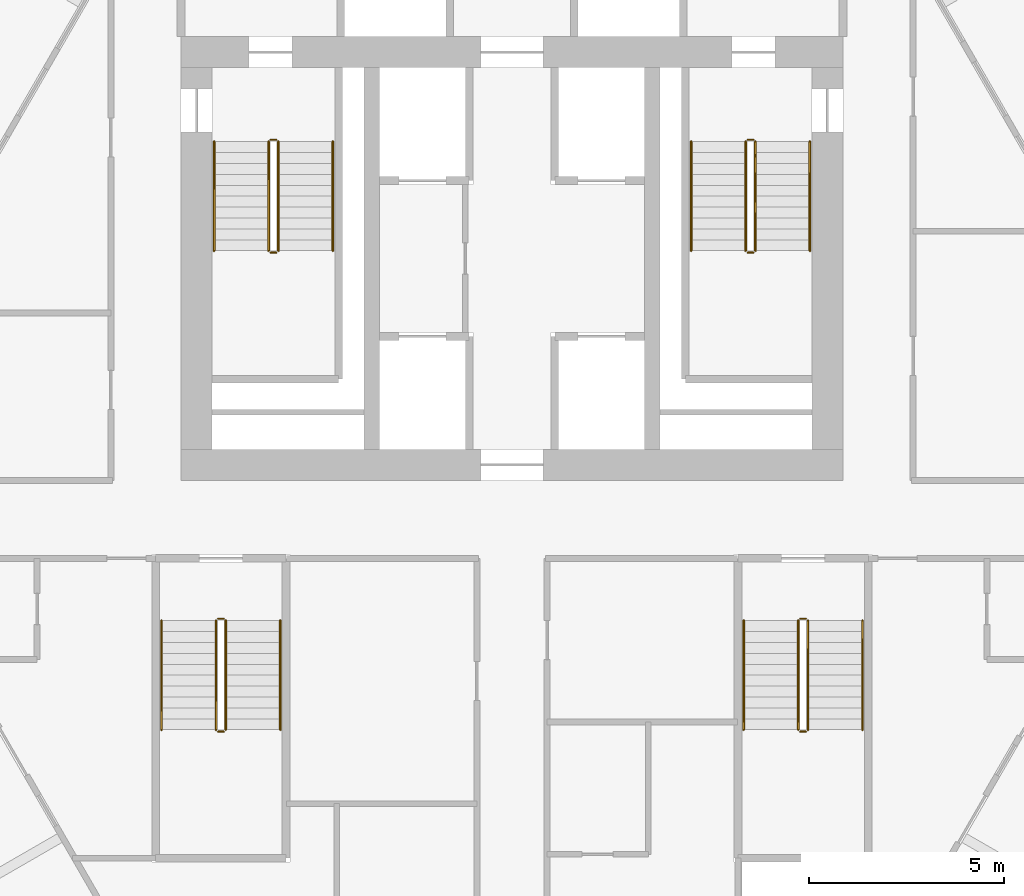
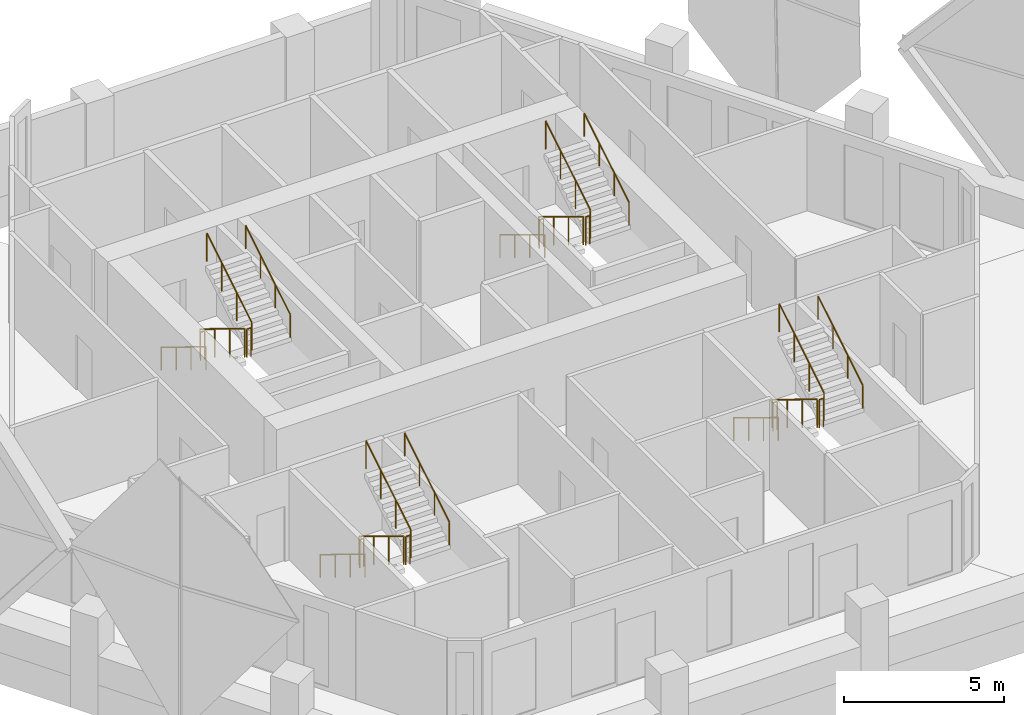
# One storey, part 13 of 13: 24 railings.
"""IFC4 building model written with IfcOpenShell, lengths in metres."""

from ifc_helpers import new_model, si_unit, direction, frame, origin, origin_2d, place, context, subcontext, project, spatial, circle, extrude, material, type_object, element, save


model = new_model("IFC4")

# Units and contexts
model_context = context("Model", 3, precision=1e-05, world=origin(), true_north=direction((0.0, 1.0)))
body_context = subcontext(model_context, "Body", "Model", "MODEL_VIEW")
ifc_project = project(units=[si_unit("LENGTHUNIT", "METRE"), si_unit("AREAUNIT", "SQUARE_METRE"), si_unit("VOLUMEUNIT", "CUBIC_METRE"), si_unit("PLANEANGLEUNIT", "RADIAN"), si_unit("MASSUNIT", "GRAM", prefix="KILO")], contexts=[model_context])

# Site, building, storey
site_placement = place(None, origin())
site = spatial("IfcSite", under=ifc_project, at=site_placement, CompositionType="ELEMENT")
building_placement = place(site_placement, origin())
building = spatial("IfcBuilding", under=site, at=building_placement, Name="Ostrander Bayou Hotel Tower", CompositionType="ELEMENT")
storey_placement = place(building_placement, frame((0.0, 0.0, 187.0)))
storey = spatial("IfcBuildingStorey", under=building, at=storey_placement, Name="L46", CompositionType="ELEMENT", Elevation=187.0)

# Railings
ifc_material_1 = material(Name="Steel ASTM A500 Gr C", Category="steel")
railing_type_1 = type_object("IfcRailingType", Name="GR1 stair guard 1100 mm steel", PredefinedType="GUARDRAIL", material=ifc_material_1)
railing_1_placement = place(storey_placement, frame((-6.25, 7.0, 0.17041015625)))
element("IfcRailing", 1, at=railing_1_placement, inside=storey, type_object=railing_type_1, Name="L46 STA stair guard 1", PredefinedType="GUARDRAIL", context=body_context, shape_type="SweptSolid", body=[
    extrude(circle(Radius=0.02392578125, at=origin_2d()), frame((0.0, 0.0, 1.076171875), z_axis=(0.0, -0.854169791009, 0.51999420009), x_axis=(1.0, 0.0, 0.0)), (0.0, 0.0, 1.0), 3.278076171875),
    extrude(circle(Radius=0.02099609375, at=origin_2d()), origin(), (0.0, 0.0, 1.0), 1.052001953125),
    extrude(circle(Radius=0.02099609375, at=origin_2d()), frame((0.0, -0.933349609375, 0.568115234375)), (0.0, 0.0, 1.0), 1.052001953125),
    extrude(circle(Radius=0.02099609375, at=origin_2d()), frame((0.0, -1.86669921875, 1.136474609375)), (0.0, 0.0, 1.0), 1.052001953125),
    extrude(circle(Radius=0.02099609375, at=origin_2d()), frame((0.0, -2.800048828125, 1.70458984375)), (0.0, 0.0, 1.0), 1.052001953125),
])
railing_2_placement = place(storey_placement, frame((-6.199951171875, 4.14990234375, 1.875)))
element("IfcRailing", 2, at=railing_2_placement, inside=storey, type_object=railing_type_1, Name="L46 STA stair guard 2", PredefinedType="GUARDRAIL", context=body_context, shape_type="SweptSolid", body=[
    extrude(circle(Radius=0.02392578125, at=origin_2d()), frame((0.0, 0.0, 1.076171875), z_axis=(1.0, 0.0, 0.0), x_axis=(0.0, 1.0, 0.0)), (0.0, 0.0, 1.0), 0.14990234375),
    extrude(circle(Radius=0.02099609375, at=origin_2d()), origin(), (0.0, 0.0, 1.0), 1.052001953125),
    extrude(circle(Radius=0.02099609375, at=origin_2d()), frame((0.14990234375, 0.0, 0.0)), (0.0, 0.0, 1.0), 1.052001953125),
])
railing_3_placement = place(storey_placement, frame((-6.0, 4.199951171875, 2.04541015625)))
element("IfcRailing", 3, at=railing_3_placement, inside=storey, type_object=railing_type_1, Name="L46 STA stair guard 3", PredefinedType="GUARDRAIL", context=body_context, shape_type="SweptSolid", body=[
    extrude(circle(Radius=0.02392578125, at=origin_2d()), frame((0.0, 0.0, 1.076171875), z_axis=(0.0, 0.854169791009, 0.51999420009), x_axis=(-1.0, 0.0, 0.0)), (0.0, 0.0, 1.0), 3.278076171875),
    extrude(circle(Radius=0.02099609375, at=origin_2d()), origin(), (0.0, 0.0, 1.0), 1.052001953125),
    extrude(circle(Radius=0.02099609375, at=origin_2d()), frame((0.0, 0.933349609375, 0.568115234375)), (0.0, 0.0, 1.0), 1.052001953125),
    extrude(circle(Radius=0.02099609375, at=origin_2d()), frame((0.0, 1.86669921875, 1.136474609375)), (0.0, 0.0, 1.0), 1.052001953125),
    extrude(circle(Radius=0.02099609375, at=origin_2d()), frame((0.0, 2.800048828125, 1.70458984375)), (0.0, 0.0, 1.0), 1.052001953125),
])
railing_4_placement = place(storey_placement, frame((-6.199951171875, 7.050048828125, 0.0)))
element("IfcRailing", 4, at=railing_4_placement, inside=storey, type_object=railing_type_1, Name="L46 STA stair guard 4", PredefinedType="GUARDRAIL", context=body_context, shape_type="SweptSolid", body=[
    extrude(circle(Radius=0.02392578125, at=origin_2d()), frame((0.0, 0.0, 1.076171875), z_axis=(1.0, 0.0, 0.0), x_axis=(0.0, 1.0, 0.0)), (0.0, 0.0, 1.0), 0.14990234375),
    extrude(circle(Radius=0.02099609375, at=origin_2d()), origin(), (0.0, 0.0, 1.0), 1.052001953125),
    extrude(circle(Radius=0.02099609375, at=origin_2d()), frame((0.14990234375, 0.0, 0.0)), (0.0, 0.0, 1.0), 1.052001953125),
])
railing_5_placement = place(storey_placement, frame((6.0, 7.0, 0.17041015625)))
element("IfcRailing", 5, at=railing_5_placement, inside=storey, type_object=railing_type_1, Name="L46 STB stair guard 1", PredefinedType="GUARDRAIL", context=body_context, shape_type="SweptSolid", body=[
    extrude(circle(Radius=0.02392578125, at=origin_2d()), frame((0.0, 0.0, 1.076171875), z_axis=(0.0, -0.854169791009, 0.51999420009), x_axis=(1.0, 0.0, 0.0)), (0.0, 0.0, 1.0), 3.278076171875),
    extrude(circle(Radius=0.02099609375, at=origin_2d()), origin(), (0.0, 0.0, 1.0), 1.052001953125),
    extrude(circle(Radius=0.02099609375, at=origin_2d()), frame((0.0, -0.933349609375, 0.568115234375)), (0.0, 0.0, 1.0), 1.052001953125),
    extrude(circle(Radius=0.02099609375, at=origin_2d()), frame((0.0, -1.86669921875, 1.136474609375)), (0.0, 0.0, 1.0), 1.052001953125),
    extrude(circle(Radius=0.02099609375, at=origin_2d()), frame((0.0, -2.800048828125, 1.70458984375)), (0.0, 0.0, 1.0), 1.052001953125),
])
railing_6_placement = place(storey_placement, frame((6.050048828125, 4.14990234375, 1.875)))
element("IfcRailing", 6, at=railing_6_placement, inside=storey, type_object=railing_type_1, Name="L46 STB stair guard 2", PredefinedType="GUARDRAIL", context=body_context, shape_type="SweptSolid", body=[
    extrude(circle(Radius=0.02392578125, at=origin_2d()), frame((0.0, 0.0, 1.076171875), z_axis=(1.0, 0.0, 0.0), x_axis=(0.0, 1.0, 0.0)), (0.0, 0.0, 1.0), 0.14990234375),
    extrude(circle(Radius=0.02099609375, at=origin_2d()), origin(), (0.0, 0.0, 1.0), 1.052001953125),
    extrude(circle(Radius=0.02099609375, at=origin_2d()), frame((0.14990234375, 0.0, 0.0)), (0.0, 0.0, 1.0), 1.052001953125),
])
railing_7_placement = place(storey_placement, frame((6.25, 4.199951171875, 2.04541015625)))
element("IfcRailing", 7, at=railing_7_placement, inside=storey, type_object=railing_type_1, Name="L46 STB stair guard 3", PredefinedType="GUARDRAIL", context=body_context, shape_type="SweptSolid", body=[
    extrude(circle(Radius=0.02392578125, at=origin_2d()), frame((0.0, 0.0, 1.076171875), z_axis=(0.0, 0.854169791009, 0.51999420009), x_axis=(-1.0, 0.0, 0.0)), (0.0, 0.0, 1.0), 3.278076171875),
    extrude(circle(Radius=0.02099609375, at=origin_2d()), origin(), (0.0, 0.0, 1.0), 1.052001953125),
    extrude(circle(Radius=0.02099609375, at=origin_2d()), frame((0.0, 0.933349609375, 0.568115234375)), (0.0, 0.0, 1.0), 1.052001953125),
    extrude(circle(Radius=0.02099609375, at=origin_2d()), frame((0.0, 1.86669921875, 1.136474609375)), (0.0, 0.0, 1.0), 1.052001953125),
    extrude(circle(Radius=0.02099609375, at=origin_2d()), frame((0.0, 2.800048828125, 1.70458984375)), (0.0, 0.0, 1.0), 1.052001953125),
])
railing_8_placement = place(storey_placement, frame((6.050048828125, 7.050048828125, 0.0)))
element("IfcRailing", 8, at=railing_8_placement, inside=storey, type_object=railing_type_1, Name="L46 STB stair guard 4", PredefinedType="GUARDRAIL", context=body_context, shape_type="SweptSolid", body=[
    extrude(circle(Radius=0.02392578125, at=origin_2d()), frame((0.0, 0.0, 1.076171875), z_axis=(1.0, 0.0, 0.0), x_axis=(0.0, 1.0, 0.0)), (0.0, 0.0, 1.0), 0.14990234375),
    extrude(circle(Radius=0.02099609375, at=origin_2d()), origin(), (0.0, 0.0, 1.0), 1.052001953125),
    extrude(circle(Radius=0.02099609375, at=origin_2d()), frame((0.14990234375, 0.0, 0.0)), (0.0, 0.0, 1.0), 1.052001953125),
])
railing_9_placement = place(storey_placement, frame((7.35009765625, -5.300048828125, 0.17041015625)))
element("IfcRailing", 9, at=railing_9_placement, inside=storey, type_object=railing_type_1, Name="L46 STC stair guard 1", PredefinedType="GUARDRAIL", context=body_context, shape_type="SweptSolid", body=[
    extrude(circle(Radius=0.02392578125, at=origin_2d()), frame((0.0, 0.0, 1.076171875), z_axis=(0.0, -0.854169791009, 0.51999420009), x_axis=(1.0, 0.0, 0.0)), (0.0, 0.0, 1.0), 3.278076171875),
    extrude(circle(Radius=0.02099609375, at=origin_2d()), origin(), (0.0, 0.0, 1.0), 1.052001953125),
    extrude(circle(Radius=0.02099609375, at=origin_2d()), frame((0.0, -0.933349609375, 0.568115234375)), (0.0, 0.0, 1.0), 1.052001953125),
    extrude(circle(Radius=0.02099609375, at=origin_2d()), frame((0.0, -1.86669921875, 1.136474609375)), (0.0, 0.0, 1.0), 1.052001953125),
    extrude(circle(Radius=0.02099609375, at=origin_2d()), frame((0.0, -2.800048828125, 1.70458984375)), (0.0, 0.0, 1.0), 1.052001953125),
])
railing_10_placement = place(storey_placement, frame((7.39990234375, -8.14990234375, 1.875)))
element("IfcRailing", 10, at=railing_10_placement, inside=storey, type_object=railing_type_1, Name="L46 STC stair guard 2", PredefinedType="GUARDRAIL", context=body_context, shape_type="SweptSolid", body=[
    extrude(circle(Radius=0.02392578125, at=origin_2d()), frame((0.0, 0.0, 1.076171875), z_axis=(1.0, 0.0, 0.0), x_axis=(0.0, 1.0, 0.0)), (0.0, 0.0, 1.0), 0.150146484375),
    extrude(circle(Radius=0.02099609375, at=origin_2d()), origin(), (0.0, 0.0, 1.0), 1.052001953125),
    extrude(circle(Radius=0.02099609375, at=origin_2d()), frame((0.150146484375, 0.0, 0.0)), (0.0, 0.0, 1.0), 1.052001953125),
])
railing_11_placement = place(storey_placement, frame((7.60009765625, -8.10009765625, 2.04541015625)))
element("IfcRailing", 11, at=railing_11_placement, inside=storey, type_object=railing_type_1, Name="L46 STC stair guard 3", PredefinedType="GUARDRAIL", context=body_context, shape_type="SweptSolid", body=[
    extrude(circle(Radius=0.02392578125, at=origin_2d()), frame((0.0, 0.0, 1.076171875), z_axis=(0.0, 0.854169791009, 0.51999420009), x_axis=(-1.0, 0.0, 0.0)), (0.0, 0.0, 1.0), 3.278076171875),
    extrude(circle(Radius=0.02099609375, at=origin_2d()), origin(), (0.0, 0.0, 1.0), 1.052001953125),
    extrude(circle(Radius=0.02099609375, at=origin_2d()), frame((0.0, 0.933349609375, 0.568115234375)), (0.0, 0.0, 1.0), 1.052001953125),
    extrude(circle(Radius=0.02099609375, at=origin_2d()), frame((0.0, 1.86669921875, 1.136474609375)), (0.0, 0.0, 1.0), 1.052001953125),
    extrude(circle(Radius=0.02099609375, at=origin_2d()), frame((0.0, 2.800048828125, 1.70458984375)), (0.0, 0.0, 1.0), 1.052001953125),
])
railing_12_placement = place(storey_placement, frame((7.39990234375, -5.25, 0.0)))
element("IfcRailing", 12, at=railing_12_placement, inside=storey, type_object=railing_type_1, Name="L46 STC stair guard 4", PredefinedType="GUARDRAIL", context=body_context, shape_type="SweptSolid", body=[
    extrude(circle(Radius=0.02392578125, at=origin_2d()), frame((0.0, 0.0, 1.076171875), z_axis=(1.0, 0.0, 0.0), x_axis=(0.0, 1.0, 0.0)), (0.0, 0.0, 1.0), 0.150146484375),
    extrude(circle(Radius=0.02099609375, at=origin_2d()), origin(), (0.0, 0.0, 1.0), 1.052001953125),
    extrude(circle(Radius=0.02099609375, at=origin_2d()), frame((0.150146484375, 0.0, 0.0)), (0.0, 0.0, 1.0), 1.052001953125),
])
railing_13_placement = place(storey_placement, frame((-7.60009765625, -5.300048828125, 0.17041015625)))
element("IfcRailing", 13, at=railing_13_placement, inside=storey, type_object=railing_type_1, Name="L46 STD stair guard 1", PredefinedType="GUARDRAIL", context=body_context, shape_type="SweptSolid", body=[
    extrude(circle(Radius=0.02392578125, at=origin_2d()), frame((0.0, 0.0, 1.076171875), z_axis=(0.0, -0.854169791009, 0.51999420009), x_axis=(1.0, 0.0, 0.0)), (0.0, 0.0, 1.0), 3.278076171875),
    extrude(circle(Radius=0.02099609375, at=origin_2d()), origin(), (0.0, 0.0, 1.0), 1.052001953125),
    extrude(circle(Radius=0.02099609375, at=origin_2d()), frame((0.0, -0.933349609375, 0.568115234375)), (0.0, 0.0, 1.0), 1.052001953125),
    extrude(circle(Radius=0.02099609375, at=origin_2d()), frame((0.0, -1.86669921875, 1.136474609375)), (0.0, 0.0, 1.0), 1.052001953125),
    extrude(circle(Radius=0.02099609375, at=origin_2d()), frame((0.0, -2.800048828125, 1.70458984375)), (0.0, 0.0, 1.0), 1.052001953125),
])
railing_14_placement = place(storey_placement, frame((-7.550048828125, -8.14990234375, 1.875)))
element("IfcRailing", 14, at=railing_14_placement, inside=storey, type_object=railing_type_1, Name="L46 STD stair guard 2", PredefinedType="GUARDRAIL", context=body_context, shape_type="SweptSolid", body=[
    extrude(circle(Radius=0.02392578125, at=origin_2d()), frame((0.0, 0.0, 1.076171875), z_axis=(1.0, 0.0, 0.0), x_axis=(0.0, 1.0, 0.0)), (0.0, 0.0, 1.0), 0.150146484375),
    extrude(circle(Radius=0.02099609375, at=origin_2d()), origin(), (0.0, 0.0, 1.0), 1.052001953125),
    extrude(circle(Radius=0.02099609375, at=origin_2d()), frame((0.150146484375, 0.0, 0.0)), (0.0, 0.0, 1.0), 1.052001953125),
])
railing_15_placement = place(storey_placement, frame((-7.35009765625, -8.10009765625, 2.04541015625)))
element("IfcRailing", 15, at=railing_15_placement, inside=storey, type_object=railing_type_1, Name="L46 STD stair guard 3", PredefinedType="GUARDRAIL", context=body_context, shape_type="SweptSolid", body=[
    extrude(circle(Radius=0.02392578125, at=origin_2d()), frame((0.0, 0.0, 1.076171875), z_axis=(0.0, 0.854169791009, 0.51999420009), x_axis=(-1.0, 0.0, 0.0)), (0.0, 0.0, 1.0), 3.278076171875),
    extrude(circle(Radius=0.02099609375, at=origin_2d()), origin(), (0.0, 0.0, 1.0), 1.052001953125),
    extrude(circle(Radius=0.02099609375, at=origin_2d()), frame((0.0, 0.933349609375, 0.568115234375)), (0.0, 0.0, 1.0), 1.052001953125),
    extrude(circle(Radius=0.02099609375, at=origin_2d()), frame((0.0, 1.86669921875, 1.136474609375)), (0.0, 0.0, 1.0), 1.052001953125),
    extrude(circle(Radius=0.02099609375, at=origin_2d()), frame((0.0, 2.800048828125, 1.70458984375)), (0.0, 0.0, 1.0), 1.052001953125),
])
railing_16_placement = place(storey_placement, frame((-7.550048828125, -5.25, 0.0)))
element("IfcRailing", 16, at=railing_16_placement, inside=storey, type_object=railing_type_1, Name="L46 STD stair guard 4", PredefinedType="GUARDRAIL", context=body_context, shape_type="SweptSolid", body=[
    extrude(circle(Radius=0.02392578125, at=origin_2d()), frame((0.0, 0.0, 1.076171875), z_axis=(1.0, 0.0, 0.0), x_axis=(0.0, 1.0, 0.0)), (0.0, 0.0, 1.0), 0.150146484375),
    extrude(circle(Radius=0.02099609375, at=origin_2d()), origin(), (0.0, 0.0, 1.0), 1.052001953125),
    extrude(circle(Radius=0.02099609375, at=origin_2d()), frame((0.150146484375, 0.0, 0.0)), (0.0, 0.0, 1.0), 1.052001953125),
])
ifc_material_2 = material(Name="Steel ASTM A500 Gr C", Category="steel")
railing_type_2 = type_object("IfcRailingType", Name="HR1 stair handrail 900 mm steel", PredefinedType="HANDRAIL", material=ifc_material_2)
railing_17_placement = place(storey_placement, frame((-7.64990234375, 7.0, 0.17041015625)))
element("IfcRailing", 17, at=railing_17_placement, inside=storey, type_object=railing_type_2, Name="L46 STA stair handrail 1", PredefinedType="HANDRAIL", context=body_context, shape_type="SweptSolid", body=[
    extrude(circle(Radius=0.02392578125, at=origin_2d()), frame((0.0, 0.0, 0.8759765625), z_axis=(0.0, -0.854169791009, 0.51999420009), x_axis=(1.0, 0.0, 0.0)), (0.0, 0.0, 1.0), 3.278076171875),
    extrude(circle(Radius=0.02099609375, at=origin_2d()), origin(), (0.0, 0.0, 1.0), 0.851806640625),
    extrude(circle(Radius=0.02099609375, at=origin_2d()), frame((0.0, -0.933349609375, 0.568115234375)), (0.0, 0.0, 1.0), 0.851806640625),
    extrude(circle(Radius=0.02099609375, at=origin_2d()), frame((0.0, -1.86669921875, 1.136474609375)), (0.0, 0.0, 1.0), 0.851806640625),
    extrude(circle(Radius=0.02099609375, at=origin_2d()), frame((0.0, -2.800048828125, 1.70458984375)), (0.0, 0.0, 1.0), 0.851806640625),
])
railing_18_placement = place(storey_placement, frame((-4.60009765625, 4.199951171875, 2.04541015625)))
element("IfcRailing", 18, at=railing_18_placement, inside=storey, type_object=railing_type_2, Name="L46 STA stair handrail 2", PredefinedType="HANDRAIL", context=body_context, shape_type="SweptSolid", body=[
    extrude(circle(Radius=0.02392578125, at=origin_2d()), frame((0.0, 0.0, 0.8759765625), z_axis=(0.0, 0.854169791009, 0.51999420009), x_axis=(-1.0, 0.0, 0.0)), (0.0, 0.0, 1.0), 3.278076171875),
    extrude(circle(Radius=0.02099609375, at=origin_2d()), origin(), (0.0, 0.0, 1.0), 0.851806640625),
    extrude(circle(Radius=0.02099609375, at=origin_2d()), frame((0.0, 0.933349609375, 0.568115234375)), (0.0, 0.0, 1.0), 0.851806640625),
    extrude(circle(Radius=0.02099609375, at=origin_2d()), frame((0.0, 1.86669921875, 1.136474609375)), (0.0, 0.0, 1.0), 0.851806640625),
    extrude(circle(Radius=0.02099609375, at=origin_2d()), frame((0.0, 2.800048828125, 1.70458984375)), (0.0, 0.0, 1.0), 0.851806640625),
])
railing_19_placement = place(storey_placement, frame((4.60009765625, 7.0, 0.17041015625)))
element("IfcRailing", 19, at=railing_19_placement, inside=storey, type_object=railing_type_2, Name="L46 STB stair handrail 1", PredefinedType="HANDRAIL", context=body_context, shape_type="SweptSolid", body=[
    extrude(circle(Radius=0.02392578125, at=origin_2d()), frame((0.0, 0.0, 0.8759765625), z_axis=(0.0, -0.854169791009, 0.51999420009), x_axis=(1.0, 0.0, 0.0)), (0.0, 0.0, 1.0), 3.278076171875),
    extrude(circle(Radius=0.02099609375, at=origin_2d()), origin(), (0.0, 0.0, 1.0), 0.851806640625),
    extrude(circle(Radius=0.02099609375, at=origin_2d()), frame((0.0, -0.933349609375, 0.568115234375)), (0.0, 0.0, 1.0), 0.851806640625),
    extrude(circle(Radius=0.02099609375, at=origin_2d()), frame((0.0, -1.86669921875, 1.136474609375)), (0.0, 0.0, 1.0), 0.851806640625),
    extrude(circle(Radius=0.02099609375, at=origin_2d()), frame((0.0, -2.800048828125, 1.70458984375)), (0.0, 0.0, 1.0), 0.851806640625),
])
railing_20_placement = place(storey_placement, frame((7.64990234375, 4.199951171875, 2.04541015625)))
element("IfcRailing", 20, at=railing_20_placement, inside=storey, type_object=railing_type_2, Name="L46 STB stair handrail 2", PredefinedType="HANDRAIL", context=body_context, shape_type="SweptSolid", body=[
    extrude(circle(Radius=0.02392578125, at=origin_2d()), frame((0.0, 0.0, 0.8759765625), z_axis=(0.0, 0.854169791009, 0.51999420009), x_axis=(-1.0, 0.0, 0.0)), (0.0, 0.0, 1.0), 3.278076171875),
    extrude(circle(Radius=0.02099609375, at=origin_2d()), origin(), (0.0, 0.0, 1.0), 0.851806640625),
    extrude(circle(Radius=0.02099609375, at=origin_2d()), frame((0.0, 0.933349609375, 0.568115234375)), (0.0, 0.0, 1.0), 0.851806640625),
    extrude(circle(Radius=0.02099609375, at=origin_2d()), frame((0.0, 1.86669921875, 1.136474609375)), (0.0, 0.0, 1.0), 0.851806640625),
    extrude(circle(Radius=0.02099609375, at=origin_2d()), frame((0.0, 2.800048828125, 1.70458984375)), (0.0, 0.0, 1.0), 0.851806640625),
])
railing_21_placement = place(storey_placement, frame((5.949951171875, -5.300048828125, 0.17041015625)))
element("IfcRailing", 21, at=railing_21_placement, inside=storey, type_object=railing_type_2, Name="L46 STC stair handrail 1", PredefinedType="HANDRAIL", context=body_context, shape_type="SweptSolid", body=[
    extrude(circle(Radius=0.02392578125, at=origin_2d()), frame((0.0, 0.0, 0.8759765625), z_axis=(0.0, -0.854169791009, 0.51999420009), x_axis=(1.0, 0.0, 0.0)), (0.0, 0.0, 1.0), 3.278076171875),
    extrude(circle(Radius=0.02099609375, at=origin_2d()), origin(), (0.0, 0.0, 1.0), 0.851806640625),
    extrude(circle(Radius=0.02099609375, at=origin_2d()), frame((0.0, -0.933349609375, 0.568115234375)), (0.0, 0.0, 1.0), 0.851806640625),
    extrude(circle(Radius=0.02099609375, at=origin_2d()), frame((0.0, -1.86669921875, 1.136474609375)), (0.0, 0.0, 1.0), 0.851806640625),
    extrude(circle(Radius=0.02099609375, at=origin_2d()), frame((0.0, -2.800048828125, 1.70458984375)), (0.0, 0.0, 1.0), 0.851806640625),
])
railing_22_placement = place(storey_placement, frame((9.0, -8.10009765625, 2.04541015625)))
element("IfcRailing", 22, at=railing_22_placement, inside=storey, type_object=railing_type_2, Name="L46 STC stair handrail 2", PredefinedType="HANDRAIL", context=body_context, shape_type="SweptSolid", body=[
    extrude(circle(Radius=0.02392578125, at=origin_2d()), frame((0.0, 0.0, 0.8759765625), z_axis=(0.0, 0.854169791009, 0.51999420009), x_axis=(-1.0, 0.0, 0.0)), (0.0, 0.0, 1.0), 3.278076171875),
    extrude(circle(Radius=0.02099609375, at=origin_2d()), origin(), (0.0, 0.0, 1.0), 0.851806640625),
    extrude(circle(Radius=0.02099609375, at=origin_2d()), frame((0.0, 0.933349609375, 0.568115234375)), (0.0, 0.0, 1.0), 0.851806640625),
    extrude(circle(Radius=0.02099609375, at=origin_2d()), frame((0.0, 1.86669921875, 1.136474609375)), (0.0, 0.0, 1.0), 0.851806640625),
    extrude(circle(Radius=0.02099609375, at=origin_2d()), frame((0.0, 2.800048828125, 1.70458984375)), (0.0, 0.0, 1.0), 0.851806640625),
])
railing_23_placement = place(storey_placement, frame((-9.0, -5.300048828125, 0.17041015625)))
element("IfcRailing", 23, at=railing_23_placement, inside=storey, type_object=railing_type_2, Name="L46 STD stair handrail 1", PredefinedType="HANDRAIL", context=body_context, shape_type="SweptSolid", body=[
    extrude(circle(Radius=0.02392578125, at=origin_2d()), frame((0.0, 0.0, 0.8759765625), z_axis=(0.0, -0.854169791009, 0.51999420009), x_axis=(1.0, 0.0, 0.0)), (0.0, 0.0, 1.0), 3.278076171875),
    extrude(circle(Radius=0.02099609375, at=origin_2d()), origin(), (0.0, 0.0, 1.0), 0.851806640625),
    extrude(circle(Radius=0.02099609375, at=origin_2d()), frame((0.0, -0.933349609375, 0.568115234375)), (0.0, 0.0, 1.0), 0.851806640625),
    extrude(circle(Radius=0.02099609375, at=origin_2d()), frame((0.0, -1.86669921875, 1.136474609375)), (0.0, 0.0, 1.0), 0.851806640625),
    extrude(circle(Radius=0.02099609375, at=origin_2d()), frame((0.0, -2.800048828125, 1.70458984375)), (0.0, 0.0, 1.0), 0.851806640625),
])
railing_24_placement = place(storey_placement, frame((-5.949951171875, -8.10009765625, 2.04541015625)))
element("IfcRailing", 24, at=railing_24_placement, inside=storey, type_object=railing_type_2, Name="L46 STD stair handrail 2", PredefinedType="HANDRAIL", context=body_context, shape_type="SweptSolid", body=[
    extrude(circle(Radius=0.02392578125, at=origin_2d()), frame((0.0, 0.0, 0.8759765625), z_axis=(0.0, 0.854169791009, 0.51999420009), x_axis=(-1.0, 0.0, 0.0)), (0.0, 0.0, 1.0), 3.278076171875),
    extrude(circle(Radius=0.02099609375, at=origin_2d()), origin(), (0.0, 0.0, 1.0), 0.851806640625),
    extrude(circle(Radius=0.02099609375, at=origin_2d()), frame((0.0, 0.933349609375, 0.568115234375)), (0.0, 0.0, 1.0), 0.851806640625),
    extrude(circle(Radius=0.02099609375, at=origin_2d()), frame((0.0, 1.86669921875, 1.136474609375)), (0.0, 0.0, 1.0), 0.851806640625),
    extrude(circle(Radius=0.02099609375, at=origin_2d()), frame((0.0, 2.800048828125, 1.70458984375)), (0.0, 0.0, 1.0), 0.851806640625),
])

save(model, "model.ifc")
